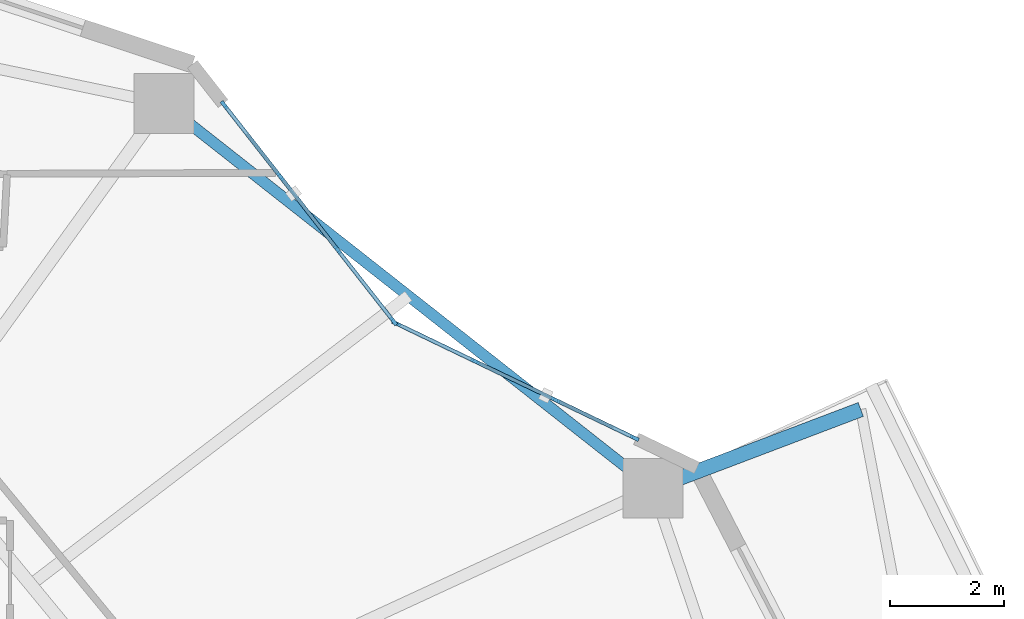
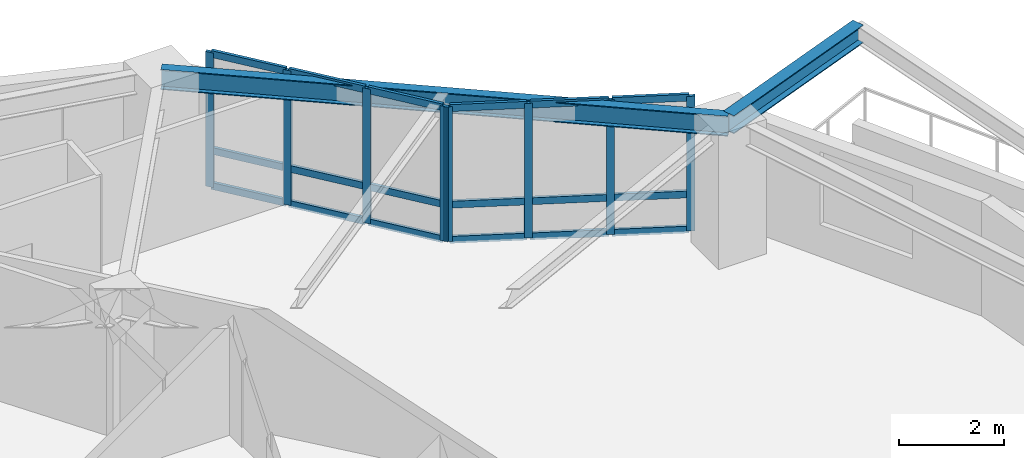
# One storey, part 4 of 18: 26 members, 2 beams, 2 elements without a shape of their own.
"""IFC4 building model written with IfcOpenShell, lengths in metres."""

from ifc_helpers import new_model, si_unit, direction, frame, origin, origin_2d, place, context, subcontext, project, spatial, rectangle, i_section, extrude, material, layer, layer_set, material_profile, profile_set, type_object, element, aggregate, save


model = new_model("IFC4")

# Units and contexts
model_context = context("Model", 3, precision=1e-05, world=origin(), true_north=direction((0.0, 1.0)))
body_context = subcontext(model_context, "Body", "Model", "MODEL_VIEW")
ifc_project = project(units=[si_unit("LENGTHUNIT", "METRE"), si_unit("AREAUNIT", "SQUARE_METRE"), si_unit("VOLUMEUNIT", "CUBIC_METRE"), si_unit("PLANEANGLEUNIT", "RADIAN"), si_unit("MASSUNIT", "GRAM", prefix="KILO")], contexts=[model_context])

# Site, building, storey
site_placement = place(None, origin())
site = spatial("IfcSite", under=ifc_project, at=site_placement, CompositionType="ELEMENT")
building_placement = place(site_placement, origin())
building = spatial("IfcBuilding", under=site, at=building_placement, Name="Kolvaren Gate Tower and Convention Centre", CompositionType="ELEMENT")
storey_placement = place(building_placement, frame((0.0, 0.0, 135.89990234375)))
storey = spatial("IfcBuildingStorey", under=building, at=storey_placement, Name="L34", CompositionType="ELEMENT", Elevation=135.89990234375)

# Curtain wall, members
ifc_material_1 = material(Name="Anodized Architectural Aluminium Alloy 6063-T6", Category="aluminium")
ifc_layer = layer(ifc_material_1, 0.159912109375)
ifc_layer_set = layer_set([ifc_layer], Name="Anodized Architectural Aluminium Alloy 6063-T6")
curtain_wall_type = type_object("IfcCurtainWallType", Name="CW-HTL-UNIT", PredefinedType="NOTDEFINED", material=ifc_layer_set)
curtain_wall_1_placement = place(storey_placement, origin())
curtain_wall_1 = element("IfcCurtainWall", 1, at=curtain_wall_1_placement, inside=storey, type_object=curtain_wall_type, Name="Tower L34 Unitised Curtain Wall CW-HTL-UNIT Bay 02", PredefinedType="NOTDEFINED")
ifc_material_profile_1 = material_profile(ifc_material_1, rectangle(XDim=0.06494140625, YDim=0.159912109375, at=origin_2d()), Name="CW-MEM-MUL-160")
ifc_profile_set_1 = profile_set([ifc_material_profile_1], Name="Anodized Architectural Aluminium Alloy 6063-T6")
member_type_1 = type_object("IfcMemberType", Name="CW-MEM-MUL-160", PredefinedType="MULLION", material=ifc_profile_set_1)
member_1_placement = place(storey_placement, frame((45.798095703125, 39.208984375, 0.0), z_axis=(0.0, 0.0, 1.0), x_axis=(0.433070515205, 0.901360043967, 0.0)))
member_1 = element("IfcMember", 2, at=member_1_placement, type_object=member_type_1, Name="CW-03 mullion 1", PredefinedType="MULLION", context=body_context, shape_type="SweptSolid", body=[
    extrude(rectangle(XDim=0.06494140625, YDim=0.159912109375, at=origin_2d()), origin(), (0.0, 0.0, 1.0), 3.130126953125),
])
member_2_placement = place(storey_placement, frame((47.181396484375, 38.544189453125, 0.0), z_axis=(0.0, 0.0, 1.0), x_axis=(0.433070515205, 0.901360043967, 0.0)))
member_2 = element("IfcMember", 3, at=member_2_placement, type_object=member_type_1, Name="CW-03 mullion 2", PredefinedType="MULLION", context=body_context, shape_type="SweptSolid", body=[
    extrude(rectangle(XDim=0.06494140625, YDim=0.159912109375, at=origin_2d()), origin(), (0.0, 0.0, 1.0), 3.130126953125),
])
member_3_placement = place(storey_placement, frame((48.59423828125, 37.865478515625, 0.0), z_axis=(0.0, 0.0, 1.0), x_axis=(0.433070515205, 0.901360043967, 0.0)))
member_3 = element("IfcMember", 4, at=member_3_placement, type_object=member_type_1, Name="CW-03 mullion 3", PredefinedType="MULLION", context=body_context, shape_type="SweptSolid", body=[
    extrude(rectangle(XDim=0.06494140625, YDim=0.159912109375, at=origin_2d()), origin(), (0.0, 0.0, 1.0), 3.130126953125),
])
member_4_placement = place(storey_placement, frame((49.9775390625, 37.20068359375, 0.0), z_axis=(0.0, 0.0, 1.0), x_axis=(0.433070515205, 0.901360043967, 0.0)))
member_4 = element("IfcMember", 5, at=member_4_placement, type_object=member_type_1, Name="CW-03 mullion 4", PredefinedType="MULLION", context=body_context, shape_type="SweptSolid", body=[
    extrude(rectangle(XDim=0.06494140625, YDim=0.159912109375, at=origin_2d()), origin(), (0.0, 0.0, 1.0), 3.130126953125),
])

curtain_wall_2_placement = place(storey_placement, origin())
curtain_wall_2 = element("IfcCurtainWall", 6, at=curtain_wall_2_placement, inside=storey, type_object=curtain_wall_type, Name="Tower L34 Unitised Curtain Wall CW-HTL-UNIT Bay 03", PredefinedType="NOTDEFINED")
member_5_placement = place(storey_placement, frame((42.77880859375, 43.042236328125, 0.0), z_axis=(0.0, 0.0, 1.0), x_axis=(0.787412940513, 0.616425876414, 0.0)))
member_5 = element("IfcMember", 7, at=member_5_placement, type_object=member_type_1, Name="CW-03 mullion 1", PredefinedType="MULLION", context=body_context, shape_type="SweptSolid", body=[
    extrude(rectangle(XDim=0.06494140625, YDim=0.159912109375, at=origin_2d()), origin(), (0.0, 0.0, 1.0), 3.130126953125),
])
member_6_placement = place(storey_placement, frame((43.76220703125, 41.7861328125, 0.0), z_axis=(0.0, 0.0, 1.0), x_axis=(0.787412940513, 0.616425876414, 0.0)))
member_6 = element("IfcMember", 8, at=member_6_placement, type_object=member_type_1, Name="CW-03 mullion 2", PredefinedType="MULLION", context=body_context, shape_type="SweptSolid", body=[
    extrude(rectangle(XDim=0.06494140625, YDim=0.159912109375, at=origin_2d()), origin(), (0.0, 0.0, 1.0), 3.130126953125),
])
member_7_placement = place(storey_placement, frame((44.765380859375, 40.504638671875, 0.0), z_axis=(0.0, 0.0, 1.0), x_axis=(0.787412940513, 0.616425876414, 0.0)))
member_7 = element("IfcMember", 9, at=member_7_placement, type_object=member_type_1, Name="CW-03 mullion 3", PredefinedType="MULLION", context=body_context, shape_type="SweptSolid", body=[
    extrude(rectangle(XDim=0.06494140625, YDim=0.159912109375, at=origin_2d()), origin(), (0.0, 0.0, 1.0), 3.130126953125),
])
member_8_placement = place(storey_placement, frame((45.748779296875, 39.24853515625, 0.0), z_axis=(0.0, 0.0, 1.0), x_axis=(0.787412940513, 0.616425876414, 0.0)))
member_8 = element("IfcMember", 10, at=member_8_placement, type_object=member_type_1, Name="CW-03 mullion 4", PredefinedType="MULLION", context=body_context, shape_type="SweptSolid", body=[
    extrude(rectangle(XDim=0.06494140625, YDim=0.159912109375, at=origin_2d()), origin(), (0.0, 0.0, 1.0), 3.130126953125),
])

# Member
ifc_material_profile_2 = material_profile(ifc_material_1, rectangle(XDim=0.06494140625, YDim=0.159912109375, at=origin_2d()), Name="CW-MEM-TRN-160")
ifc_profile_set_2 = profile_set([ifc_material_profile_2], Name="Anodized Architectural Aluminium Alloy 6063-T6")
member_type_2 = type_object("IfcMemberType", Name="CW-MEM-TRN-160", PredefinedType="USERDEFINED", material=ifc_profile_set_2)
member_9_placement = place(storey_placement, frame((45.827392578125, 39.19482421875, 0.03271484375), z_axis=(0.901359682886, -0.433071266731, 0.0), x_axis=(0.433071266731, 0.901359682886, 0.0)))
member_9 = element("IfcMember", 11, at=member_9_placement, type_object=member_type_2, Name="CW-03 transom 1.1", ObjectType="TRANSOM", PredefinedType="USERDEFINED", context=body_context, shape_type="SweptSolid", body=[
    extrude(rectangle(XDim=0.06494140625, YDim=0.159912109375, at=origin_2d()), origin(), (0.0, 0.0, 1.0), 1.4697265625),
])

member_10_placement = place(storey_placement, frame((45.827392578125, 39.19482421875, 0.85009765625), z_axis=(0.901359682886, -0.433071266731, 0.0), x_axis=(0.433071266731, 0.901359682886, 0.0)))
member_10 = element("IfcMember", 12, at=member_10_placement, type_object=member_type_2, Name="CW-03 transom 1.2", ObjectType="TRANSOM", PredefinedType="USERDEFINED", context=body_context, shape_type="SweptSolid", body=[
    extrude(rectangle(XDim=0.06494140625, YDim=0.159912109375, at=origin_2d()), origin(), (0.0, 0.0, 1.0), 1.4697265625),
])

member_11_placement = place(storey_placement, frame((45.827392578125, 39.19482421875, 3.09765625), z_axis=(0.901359682886, -0.433071266731, 0.0), x_axis=(0.433071266731, 0.901359682886, 0.0)))
member_11 = element("IfcMember", 13, at=member_11_placement, type_object=member_type_2, Name="CW-03 transom 1.3", ObjectType="TRANSOM", PredefinedType="USERDEFINED", context=body_context, shape_type="SweptSolid", body=[
    extrude(rectangle(XDim=0.06494140625, YDim=0.159912109375, at=origin_2d()), origin(), (0.0, 0.0, 1.0), 1.4697265625),
])

member_12_placement = place(storey_placement, frame((47.210693359375, 38.5302734375, 0.03271484375), z_axis=(0.901368321762, -0.43305328601, 0.0), x_axis=(0.43305328601, 0.901368321762, 0.0)))
member_12 = element("IfcMember", 14, at=member_12_placement, type_object=member_type_2, Name="CW-03 transom 2.1", ObjectType="TRANSOM", PredefinedType="USERDEFINED", context=body_context, shape_type="SweptSolid", body=[
    extrude(rectangle(XDim=0.06494140625, YDim=0.159912109375, at=origin_2d()), origin(), (0.0, 0.0, 1.0), 1.50244140625),
])

member_13_placement = place(storey_placement, frame((47.210693359375, 38.5302734375, 0.85009765625), z_axis=(0.901368321762, -0.43305328601, 0.0), x_axis=(0.43305328601, 0.901368321762, 0.0)))
member_13 = element("IfcMember", 15, at=member_13_placement, type_object=member_type_2, Name="CW-03 transom 2.2", ObjectType="TRANSOM", PredefinedType="USERDEFINED", context=body_context, shape_type="SweptSolid", body=[
    extrude(rectangle(XDim=0.06494140625, YDim=0.159912109375, at=origin_2d()), origin(), (0.0, 0.0, 1.0), 1.50244140625),
])

member_14_placement = place(storey_placement, frame((47.210693359375, 38.5302734375, 3.09765625), z_axis=(0.901368321762, -0.43305328601, 0.0), x_axis=(0.43305328601, 0.901368321762, 0.0)))
member_14 = element("IfcMember", 16, at=member_14_placement, type_object=member_type_2, Name="CW-03 transom 2.3", ObjectType="TRANSOM", PredefinedType="USERDEFINED", context=body_context, shape_type="SweptSolid", body=[
    extrude(rectangle(XDim=0.06494140625, YDim=0.159912109375, at=origin_2d()), origin(), (0.0, 0.0, 1.0), 1.50244140625),
])

member_15_placement = place(storey_placement, frame((48.62353515625, 37.851318359375, 0.03271484375), z_axis=(0.901359682886, -0.433071266731, 0.0), x_axis=(0.433071266731, 0.901359682886, 0.0)))
member_15 = element("IfcMember", 17, at=member_15_placement, type_object=member_type_2, Name="CW-03 transom 3.1", ObjectType="TRANSOM", PredefinedType="USERDEFINED", context=body_context, shape_type="SweptSolid", body=[
    extrude(rectangle(XDim=0.06494140625, YDim=0.159912109375, at=origin_2d()), origin(), (0.0, 0.0, 1.0), 1.4697265625),
])

member_16_placement = place(storey_placement, frame((48.62353515625, 37.851318359375, 0.85009765625), z_axis=(0.901359682886, -0.433071266731, 0.0), x_axis=(0.433071266731, 0.901359682886, 0.0)))
member_16 = element("IfcMember", 18, at=member_16_placement, type_object=member_type_2, Name="CW-03 transom 3.2", ObjectType="TRANSOM", PredefinedType="USERDEFINED", context=body_context, shape_type="SweptSolid", body=[
    extrude(rectangle(XDim=0.06494140625, YDim=0.159912109375, at=origin_2d()), origin(), (0.0, 0.0, 1.0), 1.4697265625),
])

member_17_placement = place(storey_placement, frame((48.62353515625, 37.851318359375, 3.09765625), z_axis=(0.901359682886, -0.433071266731, 0.0), x_axis=(0.433071266731, 0.901359682886, 0.0)))
member_17 = element("IfcMember", 19, at=member_17_placement, type_object=member_type_2, Name="CW-03 transom 3.3", ObjectType="TRANSOM", PredefinedType="USERDEFINED", context=body_context, shape_type="SweptSolid", body=[
    extrude(rectangle(XDim=0.06494140625, YDim=0.159912109375, at=origin_2d()), origin(), (0.0, 0.0, 1.0), 1.4697265625),
])

aggregate(curtain_wall_1, [member_1, member_2, member_3, member_4, member_9, member_10, member_11, member_12, member_13, member_14, member_15, member_16, member_17])

member_18_placement = place(storey_placement, frame((42.798828125, 43.0166015625, 0.03271484375), z_axis=(0.616488928006, -0.78736357653, 0.0), x_axis=(0.78736357653, 0.616488928006, 0.0)))
member_18 = element("IfcMember", 20, at=member_18_placement, type_object=member_type_2, Name="CW-03 transom 1.1", ObjectType="TRANSOM", PredefinedType="USERDEFINED", context=body_context, shape_type="SweptSolid", body=[
    extrude(rectangle(XDim=0.06494140625, YDim=0.159912109375, at=origin_2d()), origin(), (0.0, 0.0, 1.0), 1.5302734375),
])

member_19_placement = place(storey_placement, frame((42.798828125, 43.0166015625, 0.85009765625), z_axis=(0.616488928006, -0.78736357653, 0.0), x_axis=(0.78736357653, 0.616488928006, 0.0)))
member_19 = element("IfcMember", 21, at=member_19_placement, type_object=member_type_2, Name="CW-03 transom 1.2", ObjectType="TRANSOM", PredefinedType="USERDEFINED", context=body_context, shape_type="SweptSolid", body=[
    extrude(rectangle(XDim=0.06494140625, YDim=0.159912109375, at=origin_2d()), origin(), (0.0, 0.0, 1.0), 1.5302734375),
])

member_20_placement = place(storey_placement, frame((42.798828125, 43.0166015625, 3.09765625), z_axis=(0.616488928006, -0.78736357653, 0.0), x_axis=(0.78736357653, 0.616488928006, 0.0)))
member_20 = element("IfcMember", 22, at=member_20_placement, type_object=member_type_2, Name="CW-03 transom 1.3", ObjectType="TRANSOM", PredefinedType="USERDEFINED", context=body_context, shape_type="SweptSolid", body=[
    extrude(rectangle(XDim=0.06494140625, YDim=0.159912109375, at=origin_2d()), origin(), (0.0, 0.0, 1.0), 1.5302734375),
])

member_21_placement = place(storey_placement, frame((43.7822265625, 41.760498046875, 0.03271484375), z_axis=(0.616447292669, -0.787396174337, 0.0), x_axis=(0.787396174337, 0.616447292669, 0.0)))
member_21 = element("IfcMember", 23, at=member_21_placement, type_object=member_type_2, Name="CW-03 transom 2.1", ObjectType="TRANSOM", PredefinedType="USERDEFINED", context=body_context, shape_type="SweptSolid", body=[
    extrude(rectangle(XDim=0.06494140625, YDim=0.159912109375, at=origin_2d()), origin(), (0.0, 0.0, 1.0), 1.5625),
])

member_22_placement = place(storey_placement, frame((43.7822265625, 41.760498046875, 0.85009765625), z_axis=(0.616447292669, -0.787396174337, 0.0), x_axis=(0.787396174337, 0.616447292669, 0.0)))
member_22 = element("IfcMember", 24, at=member_22_placement, type_object=member_type_2, Name="CW-03 transom 2.2", ObjectType="TRANSOM", PredefinedType="USERDEFINED", context=body_context, shape_type="SweptSolid", body=[
    extrude(rectangle(XDim=0.06494140625, YDim=0.159912109375, at=origin_2d()), origin(), (0.0, 0.0, 1.0), 1.5625),
])

member_23_placement = place(storey_placement, frame((43.7822265625, 41.760498046875, 3.09765625), z_axis=(0.616447292669, -0.787396174337, 0.0), x_axis=(0.787396174337, 0.616447292669, 0.0)))
member_23 = element("IfcMember", 25, at=member_23_placement, type_object=member_type_2, Name="CW-03 transom 2.3", ObjectType="TRANSOM", PredefinedType="USERDEFINED", context=body_context, shape_type="SweptSolid", body=[
    extrude(rectangle(XDim=0.06494140625, YDim=0.159912109375, at=origin_2d()), origin(), (0.0, 0.0, 1.0), 1.5625),
])

member_24_placement = place(storey_placement, frame((44.785400390625, 40.47900390625, 0.03271484375), z_axis=(0.61639000373, -0.78744102211, 0.0), x_axis=(0.78744102211, 0.61639000373, 0.0)))
member_24 = element("IfcMember", 26, at=member_24_placement, type_object=member_type_2, Name="CW-03 transom 3.1", ObjectType="TRANSOM", PredefinedType="USERDEFINED", context=body_context, shape_type="SweptSolid", body=[
    extrude(rectangle(XDim=0.06494140625, YDim=0.159912109375, at=origin_2d()), origin(), (0.0, 0.0, 1.0), 1.530029296875),
])

member_25_placement = place(storey_placement, frame((44.785400390625, 40.47900390625, 0.85009765625), z_axis=(0.61639000373, -0.78744102211, 0.0), x_axis=(0.78744102211, 0.61639000373, 0.0)))
member_25 = element("IfcMember", 27, at=member_25_placement, type_object=member_type_2, Name="CW-03 transom 3.2", ObjectType="TRANSOM", PredefinedType="USERDEFINED", context=body_context, shape_type="SweptSolid", body=[
    extrude(rectangle(XDim=0.06494140625, YDim=0.159912109375, at=origin_2d()), origin(), (0.0, 0.0, 1.0), 1.530029296875),
])

member_26_placement = place(storey_placement, frame((44.785400390625, 40.47900390625, 3.09765625), z_axis=(0.61639000373, -0.78744102211, 0.0), x_axis=(0.78744102211, 0.61639000373, 0.0)))
member_26 = element("IfcMember", 28, at=member_26_placement, type_object=member_type_2, Name="CW-03 transom 3.3", ObjectType="TRANSOM", PredefinedType="USERDEFINED", context=body_context, shape_type="SweptSolid", body=[
    extrude(rectangle(XDim=0.06494140625, YDim=0.159912109375, at=origin_2d()), origin(), (0.0, 0.0, 1.0), 1.530029296875),
])

aggregate(curtain_wall_2, [member_5, member_6, member_7, member_8, member_18, member_19, member_20, member_21, member_22, member_23, member_24, member_25, member_26])

# Beams
ifc_material_2 = material(Name="Structural steel ASTM A992 Grade 345 MPa", Category="steel")
ifc_material_profile_3 = material_profile(ifc_material_2, i_section(OverallWidth=0.260009765625, OverallDepth=0.419921875, WebThickness=0.013427734375, FlangeThickness=0.0224609375, at=origin_2d()), Name="W410X132")
ifc_profile_set_3 = profile_set([ifc_material_profile_3], Name="Structural steel ASTM A992 Grade 345 MPa")
beam_type_1 = type_object("IfcBeamType", Name="STR-BM-W410X132", PredefinedType="BEAM", material=ifc_profile_set_3)
beam_1_placement = place(storey_placement, frame((50.30029296875, 36.318603515625, 2.920654296875), z_axis=(0.935054778076, 0.354503260912, 0.0), x_axis=(-0.354503260912, 0.935054778076, 0.0)))
element("IfcBeam", 29, at=beam_1_placement, inside=storey, type_object=beam_type_1, Name="Tower L35 Planted Balcony Outrigger Cantilever BC-1B", PredefinedType="BEAM", context=body_context, shape_type="SweptSolid", body=[
    extrude(i_section(OverallWidth=0.260009765625, OverallDepth=0.419921875, WebThickness=0.013427734375, FlangeThickness=0.0224609375, at=origin_2d()), origin(), (0.0, 0.0, 1.0), 3.89990234375),
])
ifc_material_profile_4 = material_profile(ifc_material_2, i_section(OverallWidth=0.194091796875, OverallDepth=0.468994140625, WebThickness=0.0126953125, FlangeThickness=0.0205078125, at=origin_2d()), Name="W460X106")
ifc_profile_set_4 = profile_set([ifc_material_profile_4], Name="Structural steel ASTM A992 Grade 345 MPa")
beam_type_2 = type_object("IfcBeamType", Name="STR-SP-W460X106", PredefinedType="SPANDREL", material=ifc_profile_set_4)
beam_2_placement = place(storey_placement, frame((50.30029296875, 36.318603515625, 2.8955078125), z_axis=(-0.785907610354, 0.618343939881, 0.0), x_axis=(-0.618343939881, -0.785907610354, 0.0)))
element("IfcBeam", 30, at=beam_2_placement, inside=storey, type_object=beam_type_2, Name="Tower L34 Perimeter Spandrel Beam SP-02", PredefinedType="SPANDREL", context=body_context, shape_type="SweptSolid", body=[
    extrude(i_section(OverallWidth=0.194091796875, OverallDepth=0.468994140625, WebThickness=0.0126953125, FlangeThickness=0.0205078125, at=origin_2d()), origin(), (0.0, 0.0, 1.0), 10.915771484375),
])

save(model, "model.ifc")
